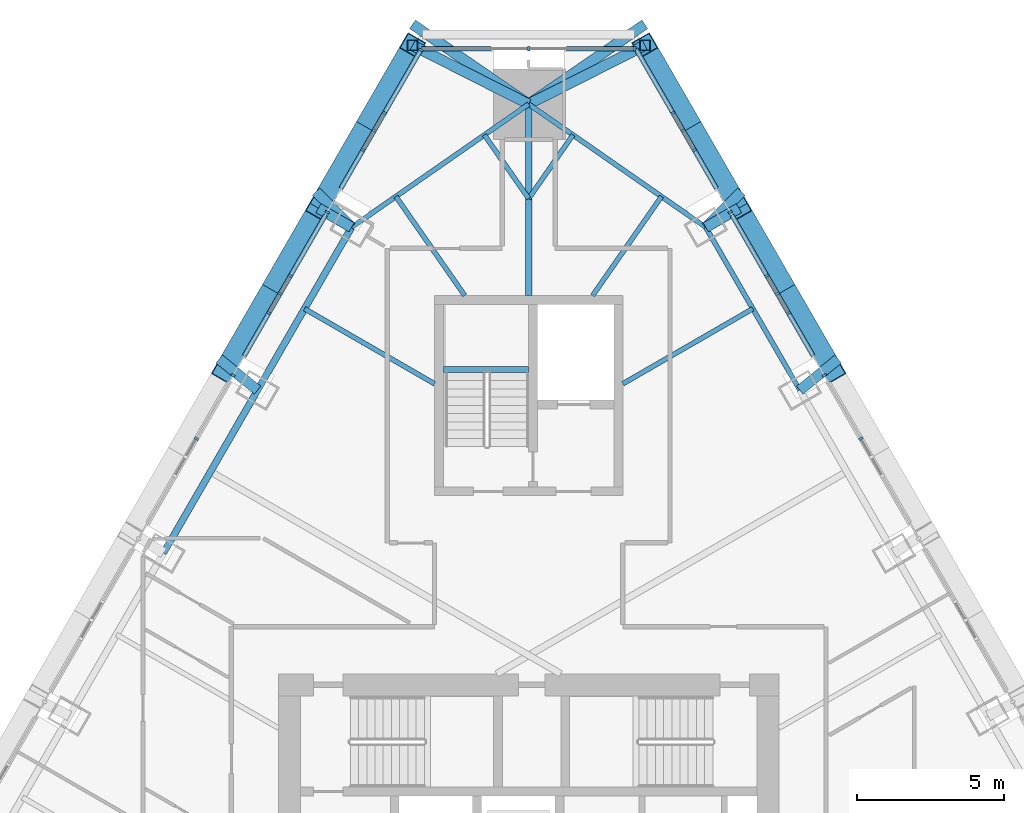
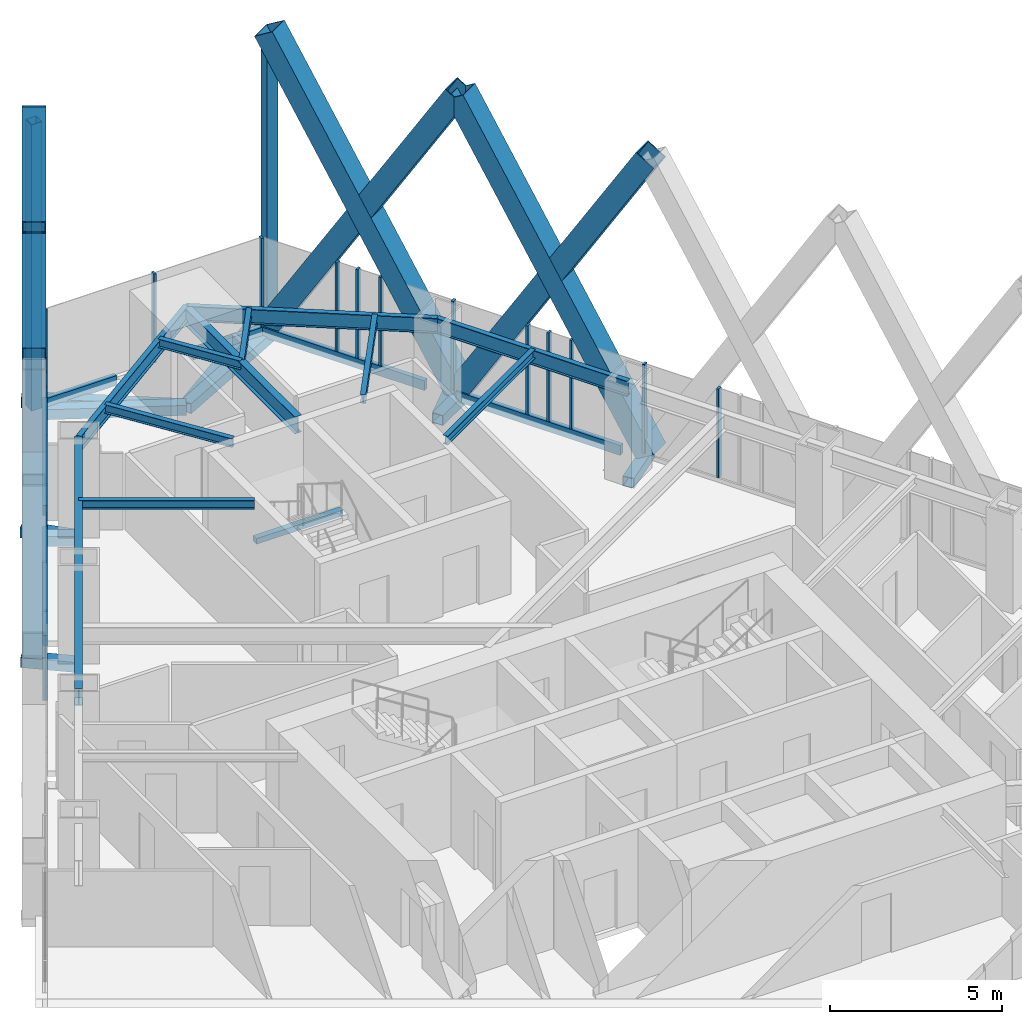
# One storey, part 7 of 21: 47 members, 12 beams, 3 elements without a shape of their own.
"""IFC4 building model written with IfcOpenShell, lengths in metres."""

from ifc_helpers import new_model, si_unit, direction, frame, origin, origin_2d, place, context, subcontext, project, spatial, rectangle, hollow_rectangle, i_section, extrude, material, layer, layer_set, material_profile, profile_set, type_object, element, aggregate, save


model = new_model("IFC4")

# Units and contexts
model_context = context("Model", 3, precision=1e-05, world=origin(), true_north=direction((0.0, 1.0)))
body_context = subcontext(model_context, "Body", "Model", "MODEL_VIEW")
ifc_project = project(units=[si_unit("LENGTHUNIT", "METRE"), si_unit("AREAUNIT", "SQUARE_METRE"), si_unit("VOLUMEUNIT", "CUBIC_METRE"), si_unit("PLANEANGLEUNIT", "RADIAN"), si_unit("MASSUNIT", "GRAM", prefix="KILO")], contexts=[model_context])

# Site, building, storey
site_placement = place(None, origin())
site = spatial("IfcSite", under=ifc_project, at=site_placement, CompositionType="ELEMENT")
building_placement = place(site_placement, origin())
building = spatial("IfcBuilding", under=site, at=building_placement, Name="Firuza Gate Tower and Library", CompositionType="ELEMENT")
storey_placement = place(building_placement, frame((0.0, 0.0, 281.10009765625)))
storey = spatial("IfcBuildingStorey", under=building, at=storey_placement, Name="L67", CompositionType="ELEMENT", Elevation=281.10009765625)

# Members
ifc_material_1 = material(Name="Steel S355", Category="steel")
ifc_material_profile_1 = material_profile(ifc_material_1, hollow_rectangle(XDim=0.699951171875, YDim=0.699951171875, WallThickness=0.030029296875, at=origin_2d()))
ifc_profile_set_1 = profile_set([ifc_material_profile_1], Name="Steel S355")
member_type_1 = type_object("IfcMemberType", Name="BU700x700x30 Lattice brace", PredefinedType="BRACE", material=ifc_profile_set_1)
for number, where, z_axis, x_axis, name in (
    (1, (85.335693359375, 92.033935546875, 0.0), (-0.259907234342, 0.450194686004, 0.854267507418), (-0.866036056452, -0.499981548585, 0.0), "Lattice brace E 17.6R"),
    (2, (82.14111328125, 97.5673828125, 0.0), (0.259907234342, -0.450194686004, 0.854267507418), (0.866036056452, 0.499981548585, 0.0), "Lattice brace E 17.6L"),
    (3, (82.14111328125, 97.5673828125, 0.0), (-0.259928079676, 0.450176524361, 0.854270735956), (-0.866009957911, -0.500026752084, 0.0), "Lattice brace E 17.7R"),
    (4, (78.9462890625, 103.1005859375, 0.0), (0.259928079676, -0.450176524361, 0.854270735956), (0.866009957911, 0.500026752084, 0.0), "Lattice brace E 17.7L"),
    (5, (71.0537109375, 103.1005859375, 0.0), (-0.259928079676, -0.450176524361, 0.854270735956), (0.866009957911, -0.500026752084, 0.0), "Lattice brace W 17.1R"),
    (6, (67.85888671875, 97.5673828125, 0.0), (0.259928079676, 0.450176524361, 0.854270735956), (-0.866009957911, 0.500026752084, 0.0), "Lattice brace W 17.1L"),
    (7, (67.85888671875, 97.5673828125, 0.0), (-0.259907234342, -0.450194686004, 0.854267507418), (0.866036056452, -0.499981548585, 0.0), "Lattice brace W 17.2R"),
    (8, (64.664306640625, 92.033935546875, 0.0), (0.259907234342, 0.450194686004, 0.854267507418), (-0.866036056452, 0.499981548585, 0.0), "Lattice brace W 17.2L"),
):
    element("IfcMember", number, at=place(storey_placement, frame(where, z_axis=z_axis, x_axis=x_axis)), inside=storey, type_object=member_type_1, Name=name, PredefinedType="BRACE", context=body_context, shape_type="SweptSolid", body=[
        extrude(hollow_rectangle(XDim=0.699951171875, YDim=0.699951171875, WallThickness=0.030029296875, at=origin_2d()), origin(), (0.0, 0.0, 1.0), 12.291259765625),
    ])

# Curtain wall, members
ifc_material_2 = material(Name="Aluminium 6063-T6", Category="aluminium")
ifc_layer_1 = layer(ifc_material_2, 0.14990234375)
ifc_layer_set_1 = layer_set([ifc_layer_1], Name="Unitised curtain wall, residences")
curtain_wall_type_1 = type_object("IfcCurtainWallType", Name="Unitised curtain wall, residences", PredefinedType="NOTDEFINED", material=ifc_layer_set_1)
placement = place(storey_placement, origin())
curtain_wall_1 = element("IfcCurtainWall", 9, at=placement, inside=storey, type_object=curtain_wall_type_1, Name="CW3 L67 E face", PredefinedType="NOTDEFINED")
ifc_material_3 = material(Name="Aluminium 6063-T6", Category="aluminium")
ifc_material_profile_2 = material_profile(ifc_material_3, rectangle(XDim=0.14990234375, YDim=0.080078125, at=origin_2d()))
ifc_profile_set_2 = profile_set([ifc_material_profile_2], Name="Aluminium 6063-T6")
member_type_2 = type_object("IfcMemberType", Name="Curtain wall mullion 80x150", PredefinedType="MULLION", material=ifc_profile_set_2)
member_1_placement = place(storey_placement, frame((85.044921875, 91.887451171875, 0.14990234375), z_axis=(0.0, 0.0, 1.0), x_axis=(-0.866025403784, -0.5, 0.0)))
member_1 = element("IfcMember", 10, at=member_1_placement, type_object=member_type_2, Name="Mullion", PredefinedType="MULLION", context=body_context, shape_type="SweptSolid", body=[
    extrude(rectangle(XDim=0.14990234375, YDim=0.080078125, at=origin_2d()), origin(), (0.0, 0.0, 1.0), 3.14990234375),
])
member_2_placement = place(storey_placement, frame((83.444580078125, 94.65966796875, 0.14990234375), z_axis=(0.0, 0.0, 1.0), x_axis=(-0.866025403784, -0.5, 0.0)))
member_2 = element("IfcMember", 11, at=member_2_placement, type_object=member_type_2, Name="Mullion", PredefinedType="MULLION", context=body_context, shape_type="SweptSolid", body=[
    extrude(rectangle(XDim=0.14990234375, YDim=0.080078125, at=origin_2d()), origin(), (0.0, 0.0, 1.0), 3.14990234375),
])
member_3_placement = place(storey_placement, frame((81.84423828125, 97.431640625, 0.14990234375), z_axis=(0.0, 0.0, 1.0), x_axis=(-0.866025403784, -0.5, 0.0)))
member_3 = element("IfcMember", 12, at=member_3_placement, type_object=member_type_2, Name="Mullion", PredefinedType="MULLION", context=body_context, shape_type="SweptSolid", body=[
    extrude(rectangle(XDim=0.14990234375, YDim=0.080078125, at=origin_2d()), origin(), (0.0, 0.0, 1.0), 3.14990234375),
])
member_4_placement = place(storey_placement, frame((80.24365234375, 100.20361328125, 0.14990234375), z_axis=(0.0, 0.0, 1.0), x_axis=(-0.866025403784, -0.5, 0.0)))
member_4 = element("IfcMember", 13, at=member_4_placement, type_object=member_type_2, Name="Mullion", PredefinedType="MULLION", context=body_context, shape_type="SweptSolid", body=[
    extrude(rectangle(XDim=0.14990234375, YDim=0.080078125, at=origin_2d()), origin(), (0.0, 0.0, 1.0), 3.14990234375),
])
member_5_placement = place(storey_placement, frame((86.28564453125, 89.73876953125, 0.14990234375), z_axis=(0.0, 0.0, 1.0), x_axis=(-0.866025403784, -0.5, 0.0)))
member_5 = element("IfcMember", 14, at=member_5_placement, type_object=member_type_2, Name="Mullion", PredefinedType="MULLION", context=body_context, shape_type="SweptSolid", body=[
    extrude(rectangle(XDim=0.14990234375, YDim=0.080078125, at=origin_2d()), origin(), (0.0, 0.0, 1.0), 3.14990234375),
])
member_6_placement = place(storey_placement, frame((83.822998046875, 94.00439453125, 0.14990234375), z_axis=(0.0, 0.0, 1.0), x_axis=(-0.866025403784, -0.5, 0.0)))
member_6 = element("IfcMember", 15, at=member_6_placement, type_object=member_type_2, Name="Mullion", PredefinedType="MULLION", context=body_context, shape_type="SweptSolid", body=[
    extrude(rectangle(XDim=0.14990234375, YDim=0.080078125, at=origin_2d()), origin(), (0.0, 0.0, 1.0), 3.14990234375),
])
member_7_placement = place(storey_placement, frame((83.091064453125, 95.27197265625, 0.14990234375), z_axis=(0.0, 0.0, 1.0), x_axis=(-0.866025403784, -0.5, 0.0)))
member_7 = element("IfcMember", 16, at=member_7_placement, type_object=member_type_2, Name="Mullion", PredefinedType="MULLION", context=body_context, shape_type="SweptSolid", body=[
    extrude(rectangle(XDim=0.14990234375, YDim=0.080078125, at=origin_2d()), origin(), (0.0, 0.0, 1.0), 3.14990234375),
])
member_8_placement = place(storey_placement, frame((80.628173828125, 99.53759765625, 0.14990234375), z_axis=(0.0, 0.0, 1.0), x_axis=(-0.866025403784, -0.5, 0.0)))
member_8 = element("IfcMember", 17, at=member_8_placement, type_object=member_type_2, Name="Mullion", PredefinedType="MULLION", context=body_context, shape_type="SweptSolid", body=[
    extrude(rectangle(XDim=0.14990234375, YDim=0.080078125, at=origin_2d()), origin(), (0.0, 0.0, 1.0), 3.14990234375),
])
member_9_placement = place(storey_placement, frame((79.896240234375, 100.805419921875, 0.14990234375), z_axis=(0.0, 0.0, 1.0), x_axis=(-0.866025403784, -0.5, 0.0)))
member_9 = element("IfcMember", 18, at=member_9_placement, type_object=member_type_2, Name="Mullion", PredefinedType="MULLION", context=body_context, shape_type="SweptSolid", body=[
    extrude(rectangle(XDim=0.14990234375, YDim=0.080078125, at=origin_2d()), origin(), (0.0, 0.0, 1.0), 3.14990234375),
])

ifc_material_4 = material(Name="Aluminium 6063-T6", Category="aluminium")
ifc_layer_2 = layer(ifc_material_4, 0.14990234375)
ifc_layer_set_2 = layer_set([ifc_layer_2], Name="Corner curtain wall, chamfers")
curtain_wall_type_2 = type_object("IfcCurtainWallType", Name="Corner curtain wall, chamfers", PredefinedType="NOTDEFINED", material=ifc_layer_set_2)
curtain_wall_2 = element("IfcCurtainWall", 19, at=placement, inside=storey, type_object=curtain_wall_type_2, Name="CW4 L67 N corner", PredefinedType="NOTDEFINED")
member_10_placement = place(storey_placement, frame((78.603271484375, 102.9755859375, 0.14990234375), z_axis=(0.0, 0.0, 1.0), x_axis=(0.0, -1.0, 0.0)))
member_10 = element("IfcMember", 20, at=member_10_placement, type_object=member_type_2, Name="Mullion", PredefinedType="MULLION", context=body_context, shape_type="SweptSolid", body=[
    extrude(rectangle(XDim=0.14990234375, YDim=0.080078125, at=origin_2d()), origin(), (0.0, 0.0, 1.0), 3.14990234375),
])
member_11_placement = place(storey_placement, frame((75.0, 102.9755859375, 0.14990234375), z_axis=(0.0, 0.0, 1.0), x_axis=(0.0, -1.0, 0.0)))
member_11 = element("IfcMember", 21, at=member_11_placement, type_object=member_type_2, Name="Mullion", PredefinedType="MULLION", context=body_context, shape_type="SweptSolid", body=[
    extrude(rectangle(XDim=0.14990234375, YDim=0.080078125, at=origin_2d()), origin(), (0.0, 0.0, 1.0), 3.14990234375),
])

curtain_wall_3 = element("IfcCurtainWall", 22, at=placement, inside=storey, type_object=curtain_wall_type_1, Name="CW3 L67 W face", PredefinedType="NOTDEFINED")
member_12_placement = place(storey_placement, frame((71.336669921875, 102.94091796875, 0.14990234375), z_axis=(0.0, 0.0, 1.0), x_axis=(0.866025403784, -0.5, 0.0)))
member_12 = element("IfcMember", 23, at=member_12_placement, type_object=member_type_2, Name="Mullion", PredefinedType="MULLION", context=body_context, shape_type="SweptSolid", body=[
    extrude(rectangle(XDim=0.14990234375, YDim=0.080078125, at=origin_2d()), origin(), (0.0, 0.0, 1.0), 3.14990234375),
])
member_13_placement = place(storey_placement, frame((69.75634765625, 100.20361328125, 0.14990234375), z_axis=(0.0, 0.0, 1.0), x_axis=(0.866025403784, -0.5, 0.0)))
member_13 = element("IfcMember", 24, at=member_13_placement, type_object=member_type_2, Name="Mullion", PredefinedType="MULLION", context=body_context, shape_type="SweptSolid", body=[
    extrude(rectangle(XDim=0.14990234375, YDim=0.080078125, at=origin_2d()), origin(), (0.0, 0.0, 1.0), 3.14990234375),
])
member_14_placement = place(storey_placement, frame((68.15576171875, 97.431640625, 0.14990234375), z_axis=(0.0, 0.0, 1.0), x_axis=(0.866025403784, -0.5, 0.0)))
member_14 = element("IfcMember", 25, at=member_14_placement, type_object=member_type_2, Name="Mullion", PredefinedType="MULLION", context=body_context, shape_type="SweptSolid", body=[
    extrude(rectangle(XDim=0.14990234375, YDim=0.080078125, at=origin_2d()), origin(), (0.0, 0.0, 1.0), 3.14990234375),
])
member_15_placement = place(storey_placement, frame((66.555419921875, 94.65966796875, 0.14990234375), z_axis=(0.0, 0.0, 1.0), x_axis=(0.866025403784, -0.5, 0.0)))
member_15 = element("IfcMember", 26, at=member_15_placement, type_object=member_type_2, Name="Mullion", PredefinedType="MULLION", context=body_context, shape_type="SweptSolid", body=[
    extrude(rectangle(XDim=0.14990234375, YDim=0.080078125, at=origin_2d()), origin(), (0.0, 0.0, 1.0), 3.14990234375),
])
member_16_placement = place(storey_placement, frame((64.955078125, 91.887451171875, 0.14990234375), z_axis=(0.0, 0.0, 1.0), x_axis=(0.866025403784, -0.5, 0.0)))
member_16 = element("IfcMember", 27, at=member_16_placement, type_object=member_type_2, Name="Mullion", PredefinedType="MULLION", context=body_context, shape_type="SweptSolid", body=[
    extrude(rectangle(XDim=0.14990234375, YDim=0.080078125, at=origin_2d()), origin(), (0.0, 0.0, 1.0), 3.14990234375),
])
member_17_placement = place(storey_placement, frame((70.103759765625, 100.805419921875, 0.14990234375), z_axis=(0.0, 0.0, 1.0), x_axis=(0.866025403784, -0.5, 0.0)))
member_17 = element("IfcMember", 28, at=member_17_placement, type_object=member_type_2, Name="Mullion", PredefinedType="MULLION", context=body_context, shape_type="SweptSolid", body=[
    extrude(rectangle(XDim=0.14990234375, YDim=0.080078125, at=origin_2d()), origin(), (0.0, 0.0, 1.0), 3.14990234375),
])
member_18_placement = place(storey_placement, frame((69.371826171875, 99.53759765625, 0.14990234375), z_axis=(0.0, 0.0, 1.0), x_axis=(0.866025403784, -0.5, 0.0)))
member_18 = element("IfcMember", 29, at=member_18_placement, type_object=member_type_2, Name="Mullion", PredefinedType="MULLION", context=body_context, shape_type="SweptSolid", body=[
    extrude(rectangle(XDim=0.14990234375, YDim=0.080078125, at=origin_2d()), origin(), (0.0, 0.0, 1.0), 3.14990234375),
])
member_19_placement = place(storey_placement, frame((66.908935546875, 95.27197265625, 0.14990234375), z_axis=(0.0, 0.0, 1.0), x_axis=(0.866025403784, -0.5, 0.0)))
member_19 = element("IfcMember", 30, at=member_19_placement, type_object=member_type_2, Name="Mullion", PredefinedType="MULLION", context=body_context, shape_type="SweptSolid", body=[
    extrude(rectangle(XDim=0.14990234375, YDim=0.080078125, at=origin_2d()), origin(), (0.0, 0.0, 1.0), 3.14990234375),
])
member_20_placement = place(storey_placement, frame((66.177001953125, 94.00439453125, 0.14990234375), z_axis=(0.0, 0.0, 1.0), x_axis=(0.866025403784, -0.5, 0.0)))
member_20 = element("IfcMember", 31, at=member_20_placement, type_object=member_type_2, Name="Mullion", PredefinedType="MULLION", context=body_context, shape_type="SweptSolid", body=[
    extrude(rectangle(XDim=0.14990234375, YDim=0.080078125, at=origin_2d()), origin(), (0.0, 0.0, 1.0), 3.14990234375),
])
member_21_placement = place(storey_placement, frame((63.71435546875, 89.73876953125, 0.14990234375), z_axis=(0.0, 0.0, 1.0), x_axis=(0.866025403784, -0.5, 0.0)))
member_21 = element("IfcMember", 32, at=member_21_placement, type_object=member_type_2, Name="Mullion", PredefinedType="MULLION", context=body_context, shape_type="SweptSolid", body=[
    extrude(rectangle(XDim=0.14990234375, YDim=0.080078125, at=origin_2d()), origin(), (0.0, 0.0, 1.0), 3.14990234375),
])

# Member
ifc_material_5 = material(Name="Aluminium 6063-T6", Category="aluminium")
ifc_material_profile_3 = material_profile(ifc_material_5, rectangle(XDim=0.14990234375, YDim=0.35009765625, at=origin_2d()))
ifc_profile_set_3 = profile_set([ifc_material_profile_3], Name="Aluminium 6063-T6")
member_type_3 = type_object("IfcMemberType", Name="Curtain wall transom 350x150", PredefinedType="USERDEFINED", material=ifc_profile_set_3)
member_22_placement = place(storey_placement, frame((84.658447265625, 92.556884765625, -0.025146484375), z_axis=(-0.499984524817, 0.866034338201, 0.0), x_axis=(-0.866034338201, -0.499984524817, 0.0)))
member_22 = element("IfcMember", 33, at=member_22_placement, type_object=member_type_3, Name="Transom", ObjectType="TRANSOM", PredefinedType="USERDEFINED", context=body_context, shape_type="SweptSolid", body=[
    extrude(rectangle(XDim=0.14990234375, YDim=0.35009765625, at=origin_2d()), origin(), (0.0, 0.0, 1.0), 5.510498046875),
])

member_23_placement = place(storey_placement, frame((81.3759765625, 98.24267578125, -0.025146484375), z_axis=(-0.500016339278, 0.866015970092, 0.0), x_axis=(-0.866015970092, -0.500016339278, 0.0)))
member_23 = element("IfcMember", 34, at=member_23_placement, type_object=member_type_3, Name="Transom", ObjectType="TRANSOM", PredefinedType="USERDEFINED", context=body_context, shape_type="SweptSolid", body=[
    extrude(rectangle(XDim=0.14990234375, YDim=0.35009765625, at=origin_2d()), origin(), (0.0, 0.0, 1.0), 5.465087890625),
])

aggregate(curtain_wall_1, [member_1, member_2, member_3, member_4, member_22, member_23, member_5, member_6, member_7, member_8, member_9])

member_24_placement = place(storey_placement, frame((78.643310546875, 102.9755859375, -0.025146484375), z_axis=(-1.0, 0.0, 0.0), x_axis=(0.0, -1.0, 0.0)))
member_24 = element("IfcMember", 35, at=member_24_placement, type_object=member_type_3, Name="Transom", ObjectType="TRANSOM", PredefinedType="USERDEFINED", context=body_context, shape_type="SweptSolid", body=[
    extrude(rectangle(XDim=0.14990234375, YDim=0.35009765625, at=origin_2d()), origin(), (0.0, 0.0, 1.0), 2.36328125),
])

member_25_placement = place(storey_placement, frame((73.719970703125, 102.9755859375, -0.025146484375), z_axis=(-1.0, 0.0, 0.0), x_axis=(0.0, -1.0, 0.0)))
member_25 = element("IfcMember", 36, at=member_25_placement, type_object=member_type_3, Name="Transom", ObjectType="TRANSOM", PredefinedType="USERDEFINED", context=body_context, shape_type="SweptSolid", body=[
    extrude(rectangle(XDim=0.14990234375, YDim=0.35009765625, at=origin_2d()), origin(), (0.0, 0.0, 1.0), 2.36328125),
])

aggregate(curtain_wall_2, [member_10, member_11, member_24, member_25])

member_26_placement = place(storey_placement, frame((71.356689453125, 102.9755859375, -0.025146484375), z_axis=(-0.500016339278, -0.866015970092, 0.0), x_axis=(0.866015970092, -0.500016339278, 0.0)))
member_26 = element("IfcMember", 37, at=member_26_placement, type_object=member_type_3, Name="Transom", ObjectType="TRANSOM", PredefinedType="USERDEFINED", context=body_context, shape_type="SweptSolid", body=[
    extrude(rectangle(XDim=0.14990234375, YDim=0.35009765625, at=origin_2d()), origin(), (0.0, 0.0, 1.0), 5.465087890625),
])

member_27_placement = place(storey_placement, frame((68.0966796875, 97.3291015625, -0.025146484375), z_axis=(-0.499984524817, -0.866034338201, 0.0), x_axis=(0.866034338201, -0.499984524817, 0.0)))
member_27 = element("IfcMember", 38, at=member_27_placement, type_object=member_type_3, Name="Transom", ObjectType="TRANSOM", PredefinedType="USERDEFINED", context=body_context, shape_type="SweptSolid", body=[
    extrude(rectangle(XDim=0.14990234375, YDim=0.35009765625, at=origin_2d()), origin(), (0.0, 0.0, 1.0), 5.510498046875),
])

aggregate(curtain_wall_3, [member_12, member_13, member_14, member_15, member_16, member_26, member_27, member_17, member_18, member_19, member_20, member_21])

# Members
ifc_material_6 = material(Name="Steel S355", Category="steel")
ifc_material_profile_4 = material_profile(ifc_material_6, hollow_rectangle(XDim=0.355712890625, YDim=0.355712890625, WallThickness=0.014892578125, at=origin_2d()))
ifc_profile_set_4 = profile_set([ifc_material_profile_4], Name="Steel S355")
member_type_4 = type_object("IfcMemberType", Name="HSS356x356x16 Lattice corner stile", PredefinedType="BRACE", material=ifc_profile_set_4)
for number, where, z_axis, x_axis, name in (
    (39, (78.9462890625, 103.1005859375, -0.14013671875), (0.0, 0.0, 1.0), (1.0, 0.0, 0.0), "Lattice corner stile E 17.B"),
    (40, (71.0537109375, 103.1005859375, -0.14013671875), (0.0, 0.0, 1.0), (1.0, 0.0, 0.0), "Lattice corner stile W 17.A"),
):
    element("IfcMember", number, at=place(storey_placement, frame(where, z_axis=z_axis, x_axis=x_axis)), inside=storey, type_object=member_type_4, Name=name, PredefinedType="BRACE", context=body_context, shape_type="SweptSolid", body=[
        extrude(hollow_rectangle(XDim=0.355712890625, YDim=0.355712890625, WallThickness=0.014892578125, at=origin_2d()), origin(), (0.0, 0.0, 1.0), 10.14013671875),
    ])
ifc_material_7 = material(Name="Steel S355", Category="steel")
ifc_material_profile_5 = material_profile(ifc_material_7, hollow_rectangle(XDim=0.355712890625, YDim=0.355712890625, WallThickness=0.014892578125, at=origin_2d()))
ifc_profile_set_5 = profile_set([ifc_material_profile_5], Name="Steel S355")
member_type_5 = type_object("IfcMemberType", Name="HSS356x356x16 Lattice node tie", PredefinedType="BRACE", material=ifc_profile_set_5)
member_28_placement = place(storey_placement, frame((75.0, 101.1005859375, -0.320068359375), z_axis=(0.82420257046, 0.566295084604, 0.0), x_axis=(-0.566295084604, 0.82420257046, 0.0)))
element("IfcMember", 41, at=member_28_placement, inside=storey, type_object=member_type_5, Name="Lattice node tie E L67 427", PredefinedType="BRACE", context=body_context, shape_type="SweptSolid", body=[
    extrude(hollow_rectangle(XDim=0.355712890625, YDim=0.355712890625, WallThickness=0.014892578125, at=origin_2d()), origin(), (0.0, 0.0, 1.0), 4.7880859375),
])
member_29_placement = place(storey_placement, frame((75.0, 101.1005859375, -0.320068359375), z_axis=(0.891985934506, 0.452063151168, 0.0), x_axis=(-0.452063151168, 0.891985934506, 0.0)))
element("IfcMember", 42, at=member_29_placement, inside=storey, type_object=member_type_5, Name="Lattice node tie E L67 428", PredefinedType="BRACE", context=body_context, shape_type="SweptSolid", body=[
    extrude(hollow_rectangle(XDim=0.355712890625, YDim=0.355712890625, WallThickness=0.014892578125, at=origin_2d()), origin(), (0.0, 0.0, 1.0), 4.424072265625),
])
member_30_placement = place(storey_placement, frame((81.01513671875, 96.917236328125, -0.320068359375), z_axis=(0.708530386236, 0.705680304232, 0.0), x_axis=(-0.705680304232, 0.708530386236, 0.0)))
element("IfcMember", 43, at=member_30_placement, inside=storey, type_object=member_type_5, Name="Lattice node tie E L67 429", PredefinedType="BRACE", context=body_context, shape_type="SweptSolid", body=[
    extrude(hollow_rectangle(XDim=0.355712890625, YDim=0.355712890625, WallThickness=0.014892578125, at=origin_2d()), origin(), (0.0, 0.0, 1.0), 1.713134765625),
])
member_31_placement = place(storey_placement, frame((81.01513671875, 96.917236328125, -0.320068359375), z_axis=(0.866004217611, 0.500036693733, 0.0), x_axis=(-0.500036693733, 0.866004217611, 0.0)))
element("IfcMember", 44, at=member_31_placement, inside=storey, type_object=member_type_5, Name="Lattice node tie E L67 430", PredefinedType="BRACE", context=body_context, shape_type="SweptSolid", body=[
    extrude(hollow_rectangle(XDim=0.355712890625, YDim=0.355712890625, WallThickness=0.014892578125, at=origin_2d()), origin(), (0.0, 0.0, 1.0), 1.30029296875),
])
for number, where, z_axis, x_axis, name in (
    (45, (84.2099609375, 91.384033203125, -0.320068359375), (0.776488041561, 0.630131987216, 0.0), (-0.630131987216, 0.776488041561, 0.0), "Lattice node tie E L67 431"),
    (46, (65.7900390625, 91.384033203125, -0.320068359375), (-0.776488041561, 0.630131987216, 0.0), (-0.630131987216, -0.776488041561, 0.0), "Lattice node tie W L67 458"),
):
    element("IfcMember", number, at=place(storey_placement, frame(where, z_axis=z_axis, x_axis=x_axis)), inside=storey, type_object=member_type_5, Name=name, PredefinedType="BRACE", context=body_context, shape_type="SweptSolid", body=[
        extrude(hollow_rectangle(XDim=0.355712890625, YDim=0.355712890625, WallThickness=0.014892578125, at=origin_2d()), origin(), (0.0, 0.0, 1.0), 1.676513671875),
    ])
member_32_placement = place(storey_placement, frame((68.98486328125, 96.917236328125, -0.320068359375), z_axis=(-0.708530386236, 0.705680304232, 0.0), x_axis=(-0.705680304232, -0.708530386236, 0.0)))
element("IfcMember", 47, at=member_32_placement, inside=storey, type_object=member_type_5, Name="Lattice node tie W L67 459", PredefinedType="BRACE", context=body_context, shape_type="SweptSolid", body=[
    extrude(hollow_rectangle(XDim=0.355712890625, YDim=0.355712890625, WallThickness=0.014892578125, at=origin_2d()), origin(), (0.0, 0.0, 1.0), 1.713134765625),
])
member_33_placement = place(storey_placement, frame((68.98486328125, 96.917236328125, -0.320068359375), z_axis=(-0.866004217611, 0.500036693733, 0.0), x_axis=(-0.500036693733, -0.866004217611, 0.0)))
element("IfcMember", 48, at=member_33_placement, inside=storey, type_object=member_type_5, Name="Lattice node tie W L67 460", PredefinedType="BRACE", context=body_context, shape_type="SweptSolid", body=[
    extrude(hollow_rectangle(XDim=0.355712890625, YDim=0.355712890625, WallThickness=0.014892578125, at=origin_2d()), origin(), (0.0, 0.0, 1.0), 1.30029296875),
])
member_34_placement = place(storey_placement, frame((75.0, 101.1005859375, -0.320068359375), z_axis=(-0.82420257046, 0.566295084604, 0.0), x_axis=(-0.566295084604, -0.82420257046, 0.0)))
element("IfcMember", 49, at=member_34_placement, inside=storey, type_object=member_type_5, Name="Lattice node tie W L67 461", PredefinedType="BRACE", context=body_context, shape_type="SweptSolid", body=[
    extrude(hollow_rectangle(XDim=0.355712890625, YDim=0.355712890625, WallThickness=0.014892578125, at=origin_2d()), origin(), (0.0, 0.0, 1.0), 4.7880859375),
])
member_35_placement = place(storey_placement, frame((75.0, 101.1005859375, -0.320068359375), z_axis=(-0.891985934506, 0.452063151168, 0.0), x_axis=(-0.452063151168, -0.891985934506, 0.0)))
element("IfcMember", 50, at=member_35_placement, inside=storey, type_object=member_type_5, Name="Lattice node tie W L67 462", PredefinedType="BRACE", context=body_context, shape_type="SweptSolid", body=[
    extrude(hollow_rectangle(XDim=0.355712890625, YDim=0.355712890625, WallThickness=0.014892578125, at=origin_2d()), origin(), (0.0, 0.0, 1.0), 4.424072265625),
])

# Beams
ifc_material_8 = material(Name="Concrete C35/45", Category="concrete")
ifc_material_profile_6 = material_profile(ifc_material_8, rectangle(XDim=0.199951171875, YDim=0.199951171875, at=origin_2d()))
ifc_profile_set_6 = profile_set([ifc_material_profile_6], Name="Concrete C35/45")
beam_type_1 = type_object("IfcBeamType", Name="Stair landing bearer 200x200", PredefinedType="BEAM", material=ifc_profile_set_6)
beam_1_placement = place(storey_placement, frame((75.0, 92.090087890625, 1.449951171875), z_axis=(-1.0, 0.0, 0.0), x_axis=(0.0, -1.0, 0.0)))
element("IfcBeam", 51, at=beam_1_placement, inside=storey, type_object=beam_type_1, Name="Landing bearer L67 stair 3", PredefinedType="BEAM", context=body_context, shape_type="SweptSolid", body=[
    extrude(rectangle(XDim=0.199951171875, YDim=0.199951171875, at=origin_2d()), origin(), (0.0, 0.0, 1.0), 2.89990234375),
])
ifc_material_9 = material(Name="Steel S355", Category="steel")
ifc_material_profile_7 = material_profile(ifc_material_9, i_section(OverallWidth=0.1650390625, OverallDepth=0.31005859375, WebThickness=0.005859375, FlangeThickness=0.009765625, at=origin_2d()))
ifc_profile_set_7 = profile_set([ifc_material_profile_7], Name="Steel S355")
beam_type_2 = type_object("IfcBeamType", Name="W310x39 Floor beam", PredefinedType="JOIST", material=ifc_profile_set_7)
beam_2_placement = place(storey_placement, frame((82.612548828125, 94.150634765625, 3.14501953125), z_axis=(-0.866026000608, -0.499998966269, 0.0), x_axis=(0.499998966269, -0.866026000608, 0.0)))
element("IfcBeam", 52, at=beam_2_placement, inside=storey, type_object=beam_type_2, Name="Floor beam L67 s54", PredefinedType="JOIST", context=body_context, shape_type="SweptSolid", body=[
    extrude(i_section(OverallWidth=0.1650390625, OverallDepth=0.31005859375, WebThickness=0.005859375, FlangeThickness=0.009765625, at=origin_2d()), origin(), (0.0, 0.0, 1.0), 5.09521484375),
])
beam_3_placement = place(storey_placement, frame((79.511474609375, 97.963134765625, 3.14501953125), z_axis=(-0.570959710546, -0.820978080665, 0.0), x_axis=(0.820978080665, -0.570959710546, 0.0)))
element("IfcBeam", 53, at=beam_3_placement, inside=storey, type_object=beam_type_2, Name="Floor beam L67 s60", PredefinedType="JOIST", context=body_context, shape_type="SweptSolid", body=[
    extrude(i_section(OverallWidth=0.1650390625, OverallDepth=0.31005859375, WebThickness=0.005859375, FlangeThickness=0.009765625, at=origin_2d()), origin(), (0.0, 0.0, 1.0), 4.096435546875),
])
for number, where, z_axis, x_axis, name in (
    (54, (76.50390625, 100.054931640625, 3.14501953125), (-0.570977579651, -0.820965653079, 0.0), (0.820965653079, -0.570977579651, 0.0), "Floor beam L67 s61"),
    (55, (73.49609375, 100.054931640625, 3.14501953125), (0.570977579651, -0.820965653079, 0.0), (0.820965653079, 0.570977579651, 0.0), "Floor beam L67 s70"),
):
    element("IfcBeam", number, at=place(storey_placement, frame(where, z_axis=z_axis, x_axis=x_axis)), inside=storey, type_object=beam_type_2, Name=name, PredefinedType="JOIST", context=body_context, shape_type="SweptSolid", body=[
        extrude(i_section(OverallWidth=0.1650390625, OverallDepth=0.31005859375, WebThickness=0.005859375, FlangeThickness=0.009765625, at=origin_2d()), origin(), (0.0, 0.0, 1.0), 2.634033203125),
    ])
beam_4_placement = place(storey_placement, frame((70.488525390625, 97.963134765625, 3.14501953125), z_axis=(0.570959710546, -0.820978080665, 0.0), x_axis=(0.820978080665, 0.570959710546, 0.0)))
element("IfcBeam", 56, at=beam_4_placement, inside=storey, type_object=beam_type_2, Name="Floor beam L67 s71", PredefinedType="JOIST", context=body_context, shape_type="SweptSolid", body=[
    extrude(i_section(OverallWidth=0.1650390625, OverallDepth=0.31005859375, WebThickness=0.005859375, FlangeThickness=0.009765625, at=origin_2d()), origin(), (0.0, 0.0, 1.0), 4.096435546875),
])
beam_5_placement = place(storey_placement, frame((67.387451171875, 94.150634765625, 3.14501953125), z_axis=(0.866026000608, -0.499998966269, 0.0), x_axis=(0.499998966269, 0.866026000608, 0.0)))
element("IfcBeam", 57, at=beam_5_placement, inside=storey, type_object=beam_type_2, Name="Floor beam L67 s80", PredefinedType="JOIST", context=body_context, shape_type="SweptSolid", body=[
    extrude(i_section(OverallWidth=0.1650390625, OverallDepth=0.31005859375, WebThickness=0.005859375, FlangeThickness=0.009765625, at=origin_2d()), origin(), (0.0, 0.0, 1.0), 5.09521484375),
])
ifc_material_10 = material(Name="Steel S355", Category="steel")
ifc_material_profile_8 = material_profile(ifc_material_10, i_section(OverallWidth=0.166015625, OverallDepth=0.534912109375, WebThickness=0.01025390625, FlangeThickness=0.0166015625, at=origin_2d()))
ifc_profile_set_8 = profile_set([ifc_material_profile_8], Name="Steel S355")
beam_type_3 = type_object("IfcBeamType", Name="W530x85 Edge beam", PredefinedType="SPANDREL", material=ifc_profile_set_8)
beam_6_placement = place(storey_placement, frame((84.2099609375, 91.384033203125, 3.032470703125), z_axis=(-0.500026752084, 0.866009957911, 0.0), x_axis=(-0.866009957911, -0.500026752084, 0.0)))
element("IfcBeam", 58, at=beam_6_placement, inside=storey, type_object=beam_type_3, Name="Edge beam L67 e54", PredefinedType="SPANDREL", context=body_context, shape_type="SweptSolid", body=[
    extrude(i_section(OverallWidth=0.166015625, OverallDepth=0.534912109375, WebThickness=0.01025390625, FlangeThickness=0.0166015625, at=origin_2d()), origin(), (0.0, 0.0, 1.0), 6.389404296875),
])
for number, where, z_axis, x_axis, name in (
    (59, (81.01513671875, 96.917236328125, 3.032470703125), (-0.820975149555, 0.570963925141, 0.0), (-0.570963925141, -0.820975149555, 0.0), "Edge beam L67 e60"),
    (60, (75.0, 101.1005859375, 3.032470703125), (-0.820975149555, -0.570963925141, 0.0), (0.570963925141, -0.820975149555, 0.0), "Edge beam L67 e70"),
):
    element("IfcBeam", number, at=place(storey_placement, frame(where, z_axis=z_axis, x_axis=x_axis)), inside=storey, type_object=beam_type_3, Name=name, PredefinedType="SPANDREL", context=body_context, shape_type="SweptSolid", body=[
        extrude(i_section(OverallWidth=0.166015625, OverallDepth=0.534912109375, WebThickness=0.01025390625, FlangeThickness=0.0166015625, at=origin_2d()), origin(), (0.0, 0.0, 1.0), 7.326904296875),
    ])
ifc_material_11 = material(Name="Steel S355", Category="steel")
ifc_material_profile_9 = material_profile(ifc_material_11, i_section(OverallWidth=0.22802734375, OverallDepth=0.60302734375, WebThickness=0.010498046875, FlangeThickness=0.014892578125, at=origin_2d()))
ifc_profile_set_9 = profile_set([ifc_material_profile_9], Name="Steel S355")
beam_type_4 = type_object("IfcBeamType", Name="W610x101 Girder", PredefinedType="BEAM", material=ifc_profile_set_9)
beam_7_placement = place(storey_placement, frame((75.0, 101.1005859375, 2.998291015625), z_axis=(0.0, -1.0, 0.0), x_axis=(1.0, 0.0, 0.0)))
element("IfcBeam", 61, at=beam_7_placement, inside=storey, type_object=beam_type_4, Name="Girder L67 gN", PredefinedType="BEAM", context=body_context, shape_type="SweptSolid", body=[
    extrude(i_section(OverallWidth=0.22802734375, OverallDepth=0.60302734375, WebThickness=0.010498046875, FlangeThickness=0.014892578125, at=origin_2d()), origin(), (0.0, 0.0, 1.0), 6.50048828125),
])
ifc_material_12 = material(Name="Steel S355", Category="steel")
ifc_material_profile_10 = material_profile(ifc_material_12, i_section(OverallWidth=0.22900390625, OverallDepth=0.612060546875, WebThickness=0.011962890625, FlangeThickness=0.01953125, at=origin_2d()))
ifc_profile_set_10 = profile_set([ifc_material_profile_10], Name="Steel S355")
beam_type_5 = type_object("IfcBeamType", Name="W610x125 Edge beam", PredefinedType="SPANDREL", material=ifc_profile_set_10)
beam_8_placement = place(storey_placement, frame((68.98486328125, 96.917236328125, 2.993896484375), z_axis=(-0.500004150346, -0.866023007568, 0.0), x_axis=(0.866023007568, -0.500004150346, 0.0)))
element("IfcBeam", 62, at=beam_8_placement, inside=storey, type_object=beam_type_5, Name="Edge beam L67 e80", PredefinedType="SPANDREL", context=body_context, shape_type="SweptSolid", body=[
    extrude(i_section(OverallWidth=0.22900390625, OverallDepth=0.612060546875, WebThickness=0.011962890625, FlangeThickness=0.01953125, at=origin_2d()), origin(), (0.0, 0.0, 1.0), 12.77880859375),
])

save(model, "model.ifc")
